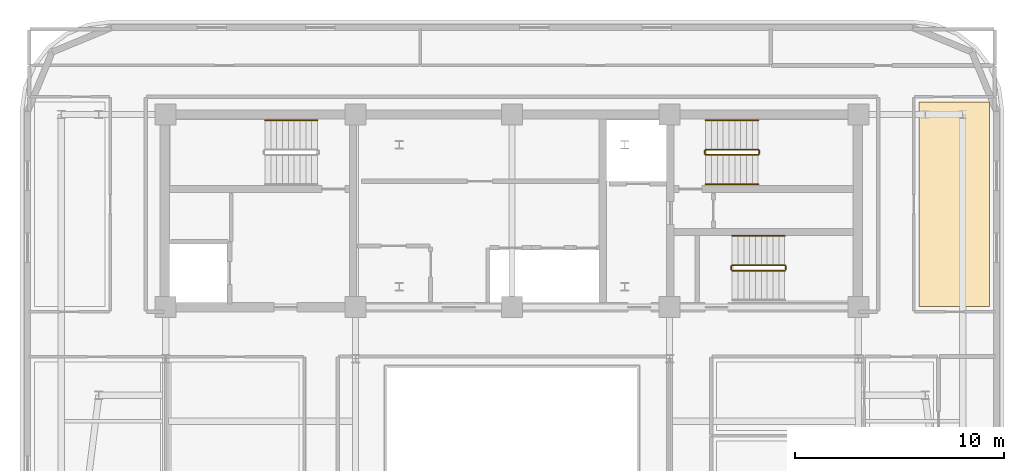
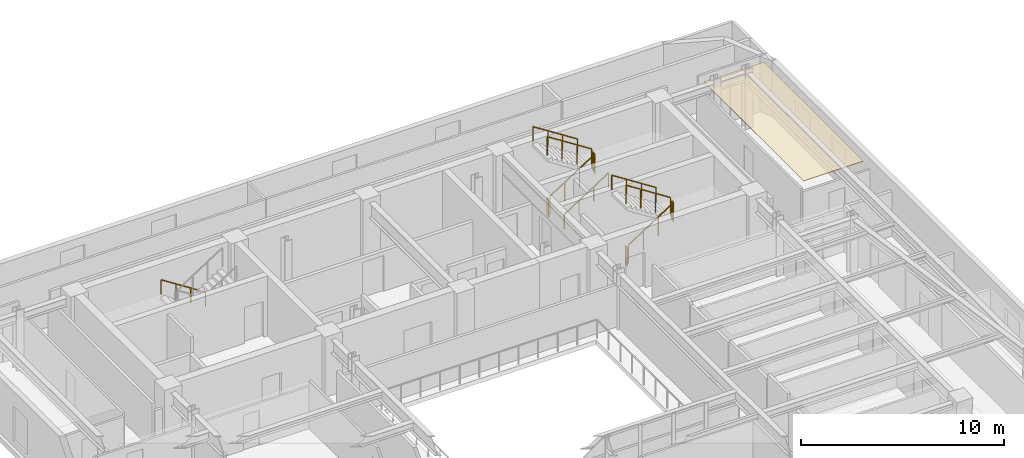
# One storey, part 13 of 13: 12 railings, 1 covering.
"""IFC4 building model written with IfcOpenShell, lengths in metres."""

from ifc_helpers import new_model, si_unit, direction, frame, origin, origin_2d, place, context, subcontext, project, spatial, polyline, rectangle, outline, extrude, material, layer, layer_set, type_object, element, save


model = new_model("IFC4")

# Units and contexts
model_context = context("Model", 3, precision=1e-05, world=origin(), true_north=direction((0.0, 1.0)))
body_context = subcontext(model_context, "Body", "Model", "MODEL_VIEW")
ifc_project = project(units=[si_unit("LENGTHUNIT", "METRE"), si_unit("AREAUNIT", "SQUARE_METRE"), si_unit("VOLUMEUNIT", "CUBIC_METRE"), si_unit("PLANEANGLEUNIT", "RADIAN"), si_unit("MASSUNIT", "GRAM", prefix="KILO")], contexts=[model_context])

# Site, building, storey
site_placement = place(None, origin())
site = spatial("IfcSite", under=ifc_project, at=site_placement, CompositionType="ELEMENT")
building_placement = place(site_placement, origin())
building = spatial("IfcBuilding", under=site, at=building_placement, Name="Zarnavel Station Tower", CompositionType="ELEMENT")
storey_placement = place(building_placement, frame((0.0, 0.0, 204.0)))
storey = spatial("IfcBuildingStorey", under=building, at=storey_placement, Name="L55", CompositionType="ELEMENT", Elevation=204.0)

# Covering
ifc_material_1 = material(Name="Perforated Gypsum and Mineral-Wool Acoustic Ceiling", Category="concrete")
ifc_layer = layer(ifc_material_1, 0.0400390625)
ifc_layer_set = layer_set([ifc_layer], Name="COV_CEIL_ACOUSTIC")
covering_type = type_object("IfcCoveringType", Name="COV_CEIL_ACOUSTIC", PredefinedType="CEILING", material=ifc_layer_set)
covering_placement = place(storey_placement, frame((0.0, 0.0, 3.02001953125)))
element("IfcCovering", 1, at=covering_placement, inside=storey, type_object=covering_type, Name="L55 FNE Acoustic Ceiling", PredefinedType="CEILING", context=body_context, shape_type="SweptSolid", body=[
    extrude(outline(polyline([(48.300048828125, 27.85009765625), (51.68994140625, 27.85009765625), (51.68994140625, 37.64990234375), (48.300048828125, 37.64990234375), (48.300048828125, 27.85009765625)])), origin(), (0.0, 0.0, 1.0), 0.0400390625),
])

# Railings
ifc_material_2 = material(Name="Painted Steel S355J2 Balustrade", Category="steel")
railing_type_1 = type_object("IfcRailingType", Name="GR_INT_1150", PredefinedType="GUARDRAIL", material=ifc_material_2)
railing_1_placement = place(storey_placement, frame((38.080078125, 35.110107421875, 0.179931640625)))
element("IfcRailing", 2, at=railing_1_placement, inside=storey, type_object=railing_type_1, Name="L55 ST2 stair guard 1", PredefinedType="GUARDRAIL", context=body_context, shape_type="SweptSolid", body=[
    extrude(rectangle(XDim=0.048095703125, YDim=0.048095703125, at=origin_2d()), frame((0.001708984375, 0.0, 1.126953125), z_axis=(0.841162588446, 0.0, 0.540782303519), x_axis=(0.0, 1.0, 0.0)), (0.0, 0.0, 1.0), 2.991943359375),
    extrude(rectangle(XDim=0.0419921875, YDim=0.0419921875, at=origin_2d()), origin(), (0.0, 0.0, 1.0), 1.101806640625),
    extrude(rectangle(XDim=0.0419921875, YDim=0.0419921875, at=origin_2d()), frame((0.840087890625, 0.0, 0.5400390625)), (0.0, 0.0, 1.0), 1.101806640625),
    extrude(rectangle(XDim=0.0419921875, YDim=0.0419921875, at=origin_2d()), frame((1.679931640625, 0.0, 1.080078125)), (0.0, 0.0, 1.0), 1.101806640625),
    extrude(rectangle(XDim=0.0419921875, YDim=0.0419921875, at=origin_2d()), frame((2.52001953125, 0.0, 1.6201171875)), (0.0, 0.0, 1.0), 1.101806640625),
])
railing_2_placement = place(storey_placement, frame((40.64990234375, 35.159912109375, 1.800048828125)))
element("IfcRailing", 3, at=railing_2_placement, inside=storey, type_object=railing_type_1, Name="L55 ST2 stair guard 2", PredefinedType="GUARDRAIL", context=body_context, shape_type="SweptSolid", body=[
    extrude(rectangle(XDim=0.048095703125, YDim=0.048095703125, at=origin_2d()), frame((0.0, 0.001953125, 1.1259765625), z_axis=(0.0, 1.0, 0.0), x_axis=(-1.0, 0.0, 0.0)), (0.0, 0.0, 1.0), 0.15625),
    extrude(rectangle(XDim=0.0419921875, YDim=0.0419921875, at=origin_2d()), origin(), (0.0, 0.0, 1.0), 1.101806640625),
    extrude(rectangle(XDim=0.0419921875, YDim=0.0419921875, at=origin_2d()), frame((0.0, 0.16015625, 0.0)), (0.0, 0.0, 1.0), 1.101806640625),
])
railing_3_placement = place(storey_placement, frame((40.60009765625, 35.3701171875, 1.97998046875)))
element("IfcRailing", 4, at=railing_3_placement, inside=storey, type_object=railing_type_1, Name="L55 ST2 stair guard 3", PredefinedType="GUARDRAIL", context=body_context, shape_type="SweptSolid", body=[
    extrude(rectangle(XDim=0.048095703125, YDim=0.048095703125, at=origin_2d()), frame((-0.001708984375, 0.0, 1.126953125), z_axis=(-0.841162588446, 0.0, 0.540782303519), x_axis=(0.0, -1.0, 0.0)), (0.0, 0.0, 1.0), 2.991943359375),
    extrude(rectangle(XDim=0.0419921875, YDim=0.0419921875, at=origin_2d()), origin(), (0.0, 0.0, 1.0), 1.101806640625),
    extrude(rectangle(XDim=0.0419921875, YDim=0.0419921875, at=origin_2d()), frame((-0.840087890625, 0.0, 0.5400390625)), (0.0, 0.0, 1.0), 1.101806640625),
    extrude(rectangle(XDim=0.0419921875, YDim=0.0419921875, at=origin_2d()), frame((-1.679931640625, 0.0, 1.080078125)), (0.0, 0.0, 1.0), 1.101806640625),
    extrude(rectangle(XDim=0.0419921875, YDim=0.0419921875, at=origin_2d()), frame((-2.52001953125, 0.0, 1.6201171875)), (0.0, 0.0, 1.0), 1.101806640625),
])
railing_4_placement = place(storey_placement, frame((38.030029296875, 35.159912109375, 0.0)))
element("IfcRailing", 5, at=railing_4_placement, inside=storey, type_object=railing_type_1, Name="L55 ST2 stair guard 4", PredefinedType="GUARDRAIL", context=body_context, shape_type="SweptSolid", body=[
    extrude(rectangle(XDim=0.048095703125, YDim=0.048095703125, at=origin_2d()), frame((0.0, 0.001953125, 1.1259765625), z_axis=(0.0, 1.0, 0.0), x_axis=(-1.0, 0.0, 0.0)), (0.0, 0.0, 1.0), 0.15625),
    extrude(rectangle(XDim=0.0419921875, YDim=0.0419921875, at=origin_2d()), origin(), (0.0, 0.0, 1.0), 1.101806640625),
    extrude(rectangle(XDim=0.0419921875, YDim=0.0419921875, at=origin_2d()), frame((0.0, 0.16015625, 0.0)), (0.0, 0.0, 1.0), 1.101806640625),
])
railing_5_placement = place(storey_placement, frame((39.35009765625, 29.570068359375, 0.179931640625)))
element("IfcRailing", 6, at=railing_5_placement, inside=storey, type_object=railing_type_1, Name="L55 ST3 stair guard 1", PredefinedType="GUARDRAIL", context=body_context, shape_type="SweptSolid", body=[
    extrude(rectangle(XDim=0.048095703125, YDim=0.048095703125, at=origin_2d()), frame((0.001708984375, 0.0, 1.126953125), z_axis=(0.841162588446, 0.0, 0.540782303519), x_axis=(0.0, 1.0, 0.0)), (0.0, 0.0, 1.0), 2.991943359375),
    extrude(rectangle(XDim=0.0419921875, YDim=0.0419921875, at=origin_2d()), origin(), (0.0, 0.0, 1.0), 1.101806640625),
    extrude(rectangle(XDim=0.0419921875, YDim=0.0419921875, at=origin_2d()), frame((0.840087890625, 0.0, 0.5400390625)), (0.0, 0.0, 1.0), 1.101806640625),
    extrude(rectangle(XDim=0.0419921875, YDim=0.0419921875, at=origin_2d()), frame((1.679931640625, 0.0, 1.080078125)), (0.0, 0.0, 1.0), 1.101806640625),
    extrude(rectangle(XDim=0.0419921875, YDim=0.0419921875, at=origin_2d()), frame((2.52001953125, 0.0, 1.6201171875)), (0.0, 0.0, 1.0), 1.101806640625),
])
railing_6_placement = place(storey_placement, frame((41.919921875, 29.6201171875, 1.800048828125)))
element("IfcRailing", 7, at=railing_6_placement, inside=storey, type_object=railing_type_1, Name="L55 ST3 stair guard 2", PredefinedType="GUARDRAIL", context=body_context, shape_type="SweptSolid", body=[
    extrude(rectangle(XDim=0.048095703125, YDim=0.048095703125, at=origin_2d()), frame((0.0, 0.001953125, 1.1259765625), z_axis=(0.0, 1.0, 0.0), x_axis=(-1.0, 0.0, 0.0)), (0.0, 0.0, 1.0), 0.156005859375),
    extrude(rectangle(XDim=0.0419921875, YDim=0.0419921875, at=origin_2d()), origin(), (0.0, 0.0, 1.0), 1.101806640625),
    extrude(rectangle(XDim=0.0419921875, YDim=0.0419921875, at=origin_2d()), frame((0.0, 0.159912109375, 0.0)), (0.0, 0.0, 1.0), 1.101806640625),
])
railing_7_placement = place(storey_placement, frame((41.8701171875, 29.830078125, 1.97998046875)))
element("IfcRailing", 8, at=railing_7_placement, inside=storey, type_object=railing_type_1, Name="L55 ST3 stair guard 3", PredefinedType="GUARDRAIL", context=body_context, shape_type="SweptSolid", body=[
    extrude(rectangle(XDim=0.048095703125, YDim=0.048095703125, at=origin_2d()), frame((-0.001708984375, 0.0, 1.126953125), z_axis=(-0.841162588446, 0.0, 0.540782303519), x_axis=(0.0, -1.0, 0.0)), (0.0, 0.0, 1.0), 2.991943359375),
    extrude(rectangle(XDim=0.0419921875, YDim=0.0419921875, at=origin_2d()), origin(), (0.0, 0.0, 1.0), 1.101806640625),
    extrude(rectangle(XDim=0.0419921875, YDim=0.0419921875, at=origin_2d()), frame((-0.840087890625, 0.0, 0.5400390625)), (0.0, 0.0, 1.0), 1.101806640625),
    extrude(rectangle(XDim=0.0419921875, YDim=0.0419921875, at=origin_2d()), frame((-1.679931640625, 0.0, 1.080078125)), (0.0, 0.0, 1.0), 1.101806640625),
    extrude(rectangle(XDim=0.0419921875, YDim=0.0419921875, at=origin_2d()), frame((-2.52001953125, 0.0, 1.6201171875)), (0.0, 0.0, 1.0), 1.101806640625),
])
railing_8_placement = place(storey_placement, frame((39.300048828125, 29.6201171875, 0.0)))
element("IfcRailing", 9, at=railing_8_placement, inside=storey, type_object=railing_type_1, Name="L55 ST3 stair guard 4", PredefinedType="GUARDRAIL", context=body_context, shape_type="SweptSolid", body=[
    extrude(rectangle(XDim=0.048095703125, YDim=0.048095703125, at=origin_2d()), frame((0.0, 0.001953125, 1.1259765625), z_axis=(0.0, 1.0, 0.0), x_axis=(-1.0, 0.0, 0.0)), (0.0, 0.0, 1.0), 0.156005859375),
    extrude(rectangle(XDim=0.0419921875, YDim=0.0419921875, at=origin_2d()), origin(), (0.0, 0.0, 1.0), 1.101806640625),
    extrude(rectangle(XDim=0.0419921875, YDim=0.0419921875, at=origin_2d()), frame((0.0, 0.159912109375, 0.0)), (0.0, 0.0, 1.0), 1.101806640625),
])
ifc_material_3 = material(Name="Brushed Stainless Steel S355J2 Handrail", Category="steel")
railing_type_2 = type_object("IfcRailingType", Name="HR_STAIR_900", PredefinedType="HANDRAIL", material=ifc_material_3)
railing_9_placement = place(storey_placement, frame((19.47998046875, 36.77001953125, 0.179931640625)))
element("IfcRailing", 10, at=railing_9_placement, inside=storey, type_object=railing_type_2, Name="L55 ST1 stair handrail 1", PredefinedType="HANDRAIL", context=body_context, shape_type="SweptSolid", body=[
    extrude(rectangle(XDim=0.048095703125, YDim=0.048095703125, at=origin_2d()), frame((-0.001708984375, 0.0, 0.876953125), z_axis=(-0.841162588446, 0.0, 0.540782303519), x_axis=(0.0, -1.0, 0.0)), (0.0, 0.0, 1.0), 2.991943359375),
    extrude(rectangle(XDim=0.0419921875, YDim=0.0419921875, at=origin_2d()), origin(), (0.0, 0.0, 1.0), 0.851806640625),
    extrude(rectangle(XDim=0.0419921875, YDim=0.0419921875, at=origin_2d()), frame((-0.840087890625, 0.0, 0.5400390625)), (0.0, 0.0, 1.0), 0.851806640625),
    extrude(rectangle(XDim=0.0419921875, YDim=0.0419921875, at=origin_2d()), frame((-1.679931640625, 0.0, 1.080078125)), (0.0, 0.0, 1.0), 0.851806640625),
    extrude(rectangle(XDim=0.0419921875, YDim=0.0419921875, at=origin_2d()), frame((-2.52001953125, 0.0, 1.6201171875)), (0.0, 0.0, 1.0), 0.851806640625),
])
railing_10_placement = place(storey_placement, frame((38.080078125, 33.7099609375, 0.179931640625)))
element("IfcRailing", 11, at=railing_10_placement, inside=storey, type_object=railing_type_2, Name="L55 ST2 stair handrail 1", PredefinedType="HANDRAIL", context=body_context, shape_type="SweptSolid", body=[
    extrude(rectangle(XDim=0.048095703125, YDim=0.048095703125, at=origin_2d()), frame((0.001708984375, 0.0, 0.876953125), z_axis=(0.841162588446, 0.0, 0.540782303519), x_axis=(0.0, 1.0, 0.0)), (0.0, 0.0, 1.0), 2.991943359375),
    extrude(rectangle(XDim=0.0419921875, YDim=0.0419921875, at=origin_2d()), origin(), (0.0, 0.0, 1.0), 0.851806640625),
    extrude(rectangle(XDim=0.0419921875, YDim=0.0419921875, at=origin_2d()), frame((0.840087890625, 0.0, 0.5400390625)), (0.0, 0.0, 1.0), 0.851806640625),
    extrude(rectangle(XDim=0.0419921875, YDim=0.0419921875, at=origin_2d()), frame((1.679931640625, 0.0, 1.080078125)), (0.0, 0.0, 1.0), 0.851806640625),
    extrude(rectangle(XDim=0.0419921875, YDim=0.0419921875, at=origin_2d()), frame((2.52001953125, 0.0, 1.6201171875)), (0.0, 0.0, 1.0), 0.851806640625),
])
for number, where, name in (
    (12, (40.60009765625, 36.77001953125, 1.97998046875), "L55 ST2 stair handrail 2"),
    (13, (41.8701171875, 31.22998046875, 1.97998046875), "L55 ST3 stair handrail 2"),
):
    element("IfcRailing", number, at=place(storey_placement, frame(where)), inside=storey, type_object=railing_type_2, Name=name, PredefinedType="HANDRAIL", context=body_context, shape_type="SweptSolid", body=[
        extrude(rectangle(XDim=0.048095703125, YDim=0.048095703125, at=origin_2d()), frame((-0.001708984375, 0.0, 0.876953125), z_axis=(-0.841162588446, 0.0, 0.540782303519), x_axis=(0.0, -1.0, 0.0)), (0.0, 0.0, 1.0), 2.991943359375),
        extrude(rectangle(XDim=0.0419921875, YDim=0.0419921875, at=origin_2d()), origin(), (0.0, 0.0, 1.0), 0.851806640625),
        extrude(rectangle(XDim=0.0419921875, YDim=0.0419921875, at=origin_2d()), frame((-0.840087890625, 0.0, 0.5400390625)), (0.0, 0.0, 1.0), 0.851806640625),
        extrude(rectangle(XDim=0.0419921875, YDim=0.0419921875, at=origin_2d()), frame((-1.679931640625, 0.0, 1.080078125)), (0.0, 0.0, 1.0), 0.851806640625),
        extrude(rectangle(XDim=0.0419921875, YDim=0.0419921875, at=origin_2d()), frame((-2.52001953125, 0.0, 1.6201171875)), (0.0, 0.0, 1.0), 0.851806640625),
    ])

save(model, "model.ifc")
